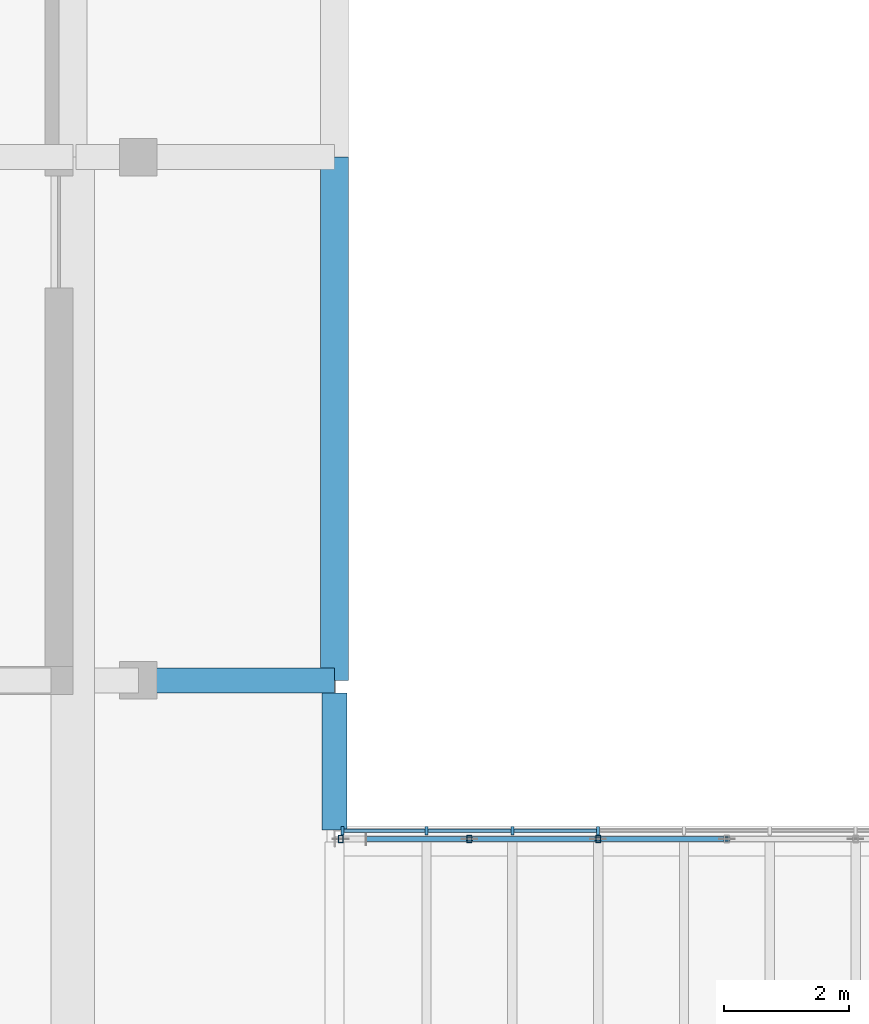
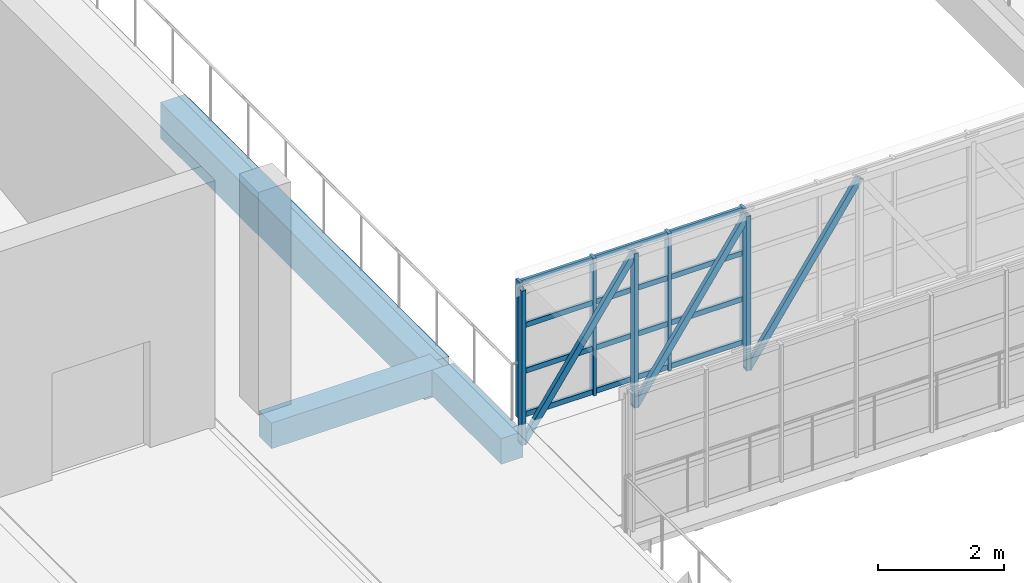
# One storey, part 18 of 67: 22 members, 3 beams, 1 element without a shape of its own.
"""IFC4 building model written with IfcOpenShell, lengths in metres."""

from ifc_helpers import new_model, si_unit, direction, frame, origin, origin_2d, place, context, subcontext, project, spatial, rectangle, hollow_rectangle, extrude, material, layer, layer_set, material_profile, profile_set, type_object, element, aggregate, save


model = new_model("IFC4")

# Units and contexts
model_context = context("Model", 3, precision=1e-05, world=origin(), true_north=direction((0.0, 1.0)))
body_context = subcontext(model_context, "Body", "Model", "MODEL_VIEW")
ifc_project = project(units=[si_unit("LENGTHUNIT", "METRE"), si_unit("AREAUNIT", "SQUARE_METRE"), si_unit("VOLUMEUNIT", "CUBIC_METRE"), si_unit("PLANEANGLEUNIT", "RADIAN"), si_unit("MASSUNIT", "GRAM", prefix="KILO")], contexts=[model_context])

# Site, building, storey
site_placement = place(None, origin())
site = spatial("IfcSite", under=ifc_project, at=site_placement, CompositionType="ELEMENT")
building_placement = place(site_placement, origin())
building = spatial("IfcBuilding", under=site, at=building_placement, Name="Kiln Court Media Centre", CompositionType="ELEMENT")
storey_placement = place(building_placement, frame((0.0, 0.0, 19.800048828125)))
storey = spatial("IfcBuildingStorey", under=building, at=storey_placement, Name="L04", CompositionType="ELEMENT", Elevation=19.800048828125)

# Curtain wall, members
ifc_material_1 = material(Name="Aluminium 6063-T6", Category="aluminium")
ifc_layer = layer(ifc_material_1, 0.1201171875)
ifc_layer_set = layer_set([ifc_layer], Name="Aluminium unitised curtain wall, bridge")
curtain_wall_type = type_object("IfcCurtainWallType", Name="Aluminium unitised curtain wall, bridge", PredefinedType="USERDEFINED", material=ifc_layer_set)
curtain_wall_placement = place(storey_placement, origin())
curtain_wall = element("IfcCurtainWall", 1, at=curtain_wall_placement, inside=storey, type_object=curtain_wall_type, Name="BR-L04-FOY-11 side glazing", ObjectType="UNITISED CURTAIN WALL", PredefinedType="USERDEFINED")
ifc_material_2 = material(Name="Aluminium 6063-T6", Category="aluminium")
ifc_material_profile_1 = material_profile(ifc_material_2, rectangle(XDim=0.050048828125, YDim=0.139892578125, at=origin_2d()), Name="Aluminium hall mullion 50x140")
ifc_profile_set_1 = profile_set([ifc_material_profile_1], Name="Aluminium 6063-T6")
member_type_1 = type_object("IfcMemberType", Name="Aluminium hall mullion 50x140", PredefinedType="MULLION", material=ifc_profile_set_1)
member_1_placement = place(storey_placement, frame((37.925048828125, 39.5849609375, 0.0), z_axis=(0.0, 0.0, 1.0), x_axis=(1.0, 0.0, 0.0)))
member_1 = element("IfcMember", 2, at=member_1_placement, type_object=member_type_1, Name="CW4-68 mullion 1", PredefinedType="MULLION", context=body_context, shape_type="SweptSolid", body=[
    extrude(rectangle(XDim=0.050048828125, YDim=0.139892578125, at=origin_2d()), origin(), (0.0, 0.0, 1.0), 2.675048828125),
])
member_2_placement = place(storey_placement, frame((39.27783203125, 39.5849609375, 0.0), z_axis=(0.0, 0.0, 1.0), x_axis=(1.0, 0.0, 0.0)))
member_2 = element("IfcMember", 3, at=member_2_placement, type_object=member_type_1, Name="CW4-68 mullion 2", PredefinedType="MULLION", context=body_context, shape_type="SweptSolid", body=[
    extrude(rectangle(XDim=0.050048828125, YDim=0.139892578125, at=origin_2d()), origin(), (0.0, 0.0, 1.0), 2.675048828125),
])
member_3_placement = place(storey_placement, frame((40.655517578125, 39.5849609375, 0.0), z_axis=(0.0, 0.0, 1.0), x_axis=(1.0, 0.0, 0.0)))
member_3 = element("IfcMember", 4, at=member_3_placement, type_object=member_type_1, Name="CW4-68 mullion 3", PredefinedType="MULLION", context=body_context, shape_type="SweptSolid", body=[
    extrude(rectangle(XDim=0.050048828125, YDim=0.139892578125, at=origin_2d()), origin(), (0.0, 0.0, 1.0), 2.675048828125),
])
member_4_placement = place(storey_placement, frame((42.033447265625, 39.5849609375, 0.0), z_axis=(0.0, 0.0, 1.0), x_axis=(1.0, 0.0, 0.0)))
member_4 = element("IfcMember", 5, at=member_4_placement, type_object=member_type_1, Name="CW4-68 mullion 4", PredefinedType="MULLION", context=body_context, shape_type="SweptSolid", body=[
    extrude(rectangle(XDim=0.050048828125, YDim=0.139892578125, at=origin_2d()), origin(), (0.0, 0.0, 1.0), 2.675048828125),
])
ifc_material_3 = material(Name="Aluminium 6063-T6", Category="aluminium")
ifc_material_profile_2 = material_profile(ifc_material_3, rectangle(XDim=0.050048828125, YDim=0.10009765625, at=origin_2d()), Name="Aluminium hall transom 50x100")
ifc_profile_set_2 = profile_set([ifc_material_profile_2], Name="Aluminium 6063-T6")
member_type_2 = type_object("IfcMemberType", Name="Aluminium hall transom 50x100", PredefinedType="USERDEFINED", material=ifc_profile_set_2)
member_5_placement = place(storey_placement, frame((37.949951171875, 39.5849609375, 0.050048828125), z_axis=(1.0, 0.0, 0.0), x_axis=(0.0, 1.0, 0.0)))
member_5 = element("IfcMember", 6, at=member_5_placement, type_object=member_type_2, Name="CW4-68 transom 1.1", ObjectType="TRANSOM", PredefinedType="USERDEFINED", context=body_context, shape_type="SweptSolid", body=[
    extrude(rectangle(XDim=0.050048828125, YDim=0.10009765625, at=origin_2d()), origin(), (0.0, 0.0, 1.0), 1.302734375),
])
member_6_placement = place(storey_placement, frame((37.949951171875, 39.5849609375, 0.8916015625), z_axis=(1.0, 0.0, 0.0), x_axis=(0.0, 1.0, 0.0)))
member_6 = element("IfcMember", 7, at=member_6_placement, type_object=member_type_2, Name="CW4-68 transom 1.2", ObjectType="TRANSOM", PredefinedType="USERDEFINED", context=body_context, shape_type="SweptSolid", body=[
    extrude(rectangle(XDim=0.050048828125, YDim=0.10009765625, at=origin_2d()), origin(), (0.0, 0.0, 1.0), 1.302734375),
])
member_7_placement = place(storey_placement, frame((37.949951171875, 39.5849609375, 1.783203125), z_axis=(1.0, 0.0, 0.0), x_axis=(0.0, 1.0, 0.0)))
member_7 = element("IfcMember", 8, at=member_7_placement, type_object=member_type_2, Name="CW4-68 transom 1.3", ObjectType="TRANSOM", PredefinedType="USERDEFINED", context=body_context, shape_type="SweptSolid", body=[
    extrude(rectangle(XDim=0.050048828125, YDim=0.10009765625, at=origin_2d()), origin(), (0.0, 0.0, 1.0), 1.302734375),
])
member_8_placement = place(storey_placement, frame((37.949951171875, 39.5849609375, 2.625), z_axis=(1.0, 0.0, 0.0), x_axis=(0.0, 1.0, 0.0)))
member_8 = element("IfcMember", 9, at=member_8_placement, type_object=member_type_2, Name="CW4-68 transom 1.4", ObjectType="TRANSOM", PredefinedType="USERDEFINED", context=body_context, shape_type="SweptSolid", body=[
    extrude(rectangle(XDim=0.050048828125, YDim=0.10009765625, at=origin_2d()), origin(), (0.0, 0.0, 1.0), 1.302734375),
])
member_9_placement = place(storey_placement, frame((39.302734375, 39.5849609375, 0.050048828125), z_axis=(1.0, 0.0, 0.0), x_axis=(0.0, 1.0, 0.0)))
member_9 = element("IfcMember", 10, at=member_9_placement, type_object=member_type_2, Name="CW4-68 transom 2.1", ObjectType="TRANSOM", PredefinedType="USERDEFINED", context=body_context, shape_type="SweptSolid", body=[
    extrude(rectangle(XDim=0.050048828125, YDim=0.10009765625, at=origin_2d()), origin(), (0.0, 0.0, 1.0), 1.327880859375),
])
member_10_placement = place(storey_placement, frame((39.302734375, 39.5849609375, 0.8916015625), z_axis=(1.0, 0.0, 0.0), x_axis=(0.0, 1.0, 0.0)))
member_10 = element("IfcMember", 11, at=member_10_placement, type_object=member_type_2, Name="CW4-68 transom 2.2", ObjectType="TRANSOM", PredefinedType="USERDEFINED", context=body_context, shape_type="SweptSolid", body=[
    extrude(rectangle(XDim=0.050048828125, YDim=0.10009765625, at=origin_2d()), origin(), (0.0, 0.0, 1.0), 1.327880859375),
])
member_11_placement = place(storey_placement, frame((39.302734375, 39.5849609375, 1.783203125), z_axis=(1.0, 0.0, 0.0), x_axis=(0.0, 1.0, 0.0)))
member_11 = element("IfcMember", 12, at=member_11_placement, type_object=member_type_2, Name="CW4-68 transom 2.3", ObjectType="TRANSOM", PredefinedType="USERDEFINED", context=body_context, shape_type="SweptSolid", body=[
    extrude(rectangle(XDim=0.050048828125, YDim=0.10009765625, at=origin_2d()), origin(), (0.0, 0.0, 1.0), 1.327880859375),
])
member_12_placement = place(storey_placement, frame((39.302734375, 39.5849609375, 2.625), z_axis=(1.0, 0.0, 0.0), x_axis=(0.0, 1.0, 0.0)))
member_12 = element("IfcMember", 13, at=member_12_placement, type_object=member_type_2, Name="CW4-68 transom 2.4", ObjectType="TRANSOM", PredefinedType="USERDEFINED", context=body_context, shape_type="SweptSolid", body=[
    extrude(rectangle(XDim=0.050048828125, YDim=0.10009765625, at=origin_2d()), origin(), (0.0, 0.0, 1.0), 1.327880859375),
])
member_13_placement = place(storey_placement, frame((40.6806640625, 39.5849609375, 0.050048828125), z_axis=(1.0, 0.0, 0.0), x_axis=(0.0, 1.0, 0.0)))
member_13 = element("IfcMember", 14, at=member_13_placement, type_object=member_type_2, Name="CW4-68 transom 3.1", ObjectType="TRANSOM", PredefinedType="USERDEFINED", context=body_context, shape_type="SweptSolid", body=[
    extrude(rectangle(XDim=0.050048828125, YDim=0.10009765625, at=origin_2d()), origin(), (0.0, 0.0, 1.0), 1.32763671875),
])
member_14_placement = place(storey_placement, frame((40.6806640625, 39.5849609375, 0.8916015625), z_axis=(1.0, 0.0, 0.0), x_axis=(0.0, 1.0, 0.0)))
member_14 = element("IfcMember", 15, at=member_14_placement, type_object=member_type_2, Name="CW4-68 transom 3.2", ObjectType="TRANSOM", PredefinedType="USERDEFINED", context=body_context, shape_type="SweptSolid", body=[
    extrude(rectangle(XDim=0.050048828125, YDim=0.10009765625, at=origin_2d()), origin(), (0.0, 0.0, 1.0), 1.32763671875),
])
member_15_placement = place(storey_placement, frame((40.6806640625, 39.5849609375, 1.783203125), z_axis=(1.0, 0.0, 0.0), x_axis=(0.0, 1.0, 0.0)))
member_15 = element("IfcMember", 16, at=member_15_placement, type_object=member_type_2, Name="CW4-68 transom 3.3", ObjectType="TRANSOM", PredefinedType="USERDEFINED", context=body_context, shape_type="SweptSolid", body=[
    extrude(rectangle(XDim=0.050048828125, YDim=0.10009765625, at=origin_2d()), origin(), (0.0, 0.0, 1.0), 1.32763671875),
])
member_16_placement = place(storey_placement, frame((40.6806640625, 39.5849609375, 2.625), z_axis=(1.0, 0.0, 0.0), x_axis=(0.0, 1.0, 0.0)))
member_16 = element("IfcMember", 17, at=member_16_placement, type_object=member_type_2, Name="CW4-68 transom 3.4", ObjectType="TRANSOM", PredefinedType="USERDEFINED", context=body_context, shape_type="SweptSolid", body=[
    extrude(rectangle(XDim=0.050048828125, YDim=0.10009765625, at=origin_2d()), origin(), (0.0, 0.0, 1.0), 1.32763671875),
])
aggregate(curtain_wall, [member_1, member_2, member_3, member_4, member_5, member_6, member_7, member_8, member_9, member_10, member_11, member_12, member_13, member_14, member_15, member_16])

# Beams
ifc_material_4 = material(Name="Concrete C30/37", Category="concrete")
ifc_material_profile_3 = material_profile(ifc_material_4, rectangle(XDim=0.39990234375, YDim=0.5, at=origin_2d()), Name="RC 400x500")
ifc_profile_set_3 = profile_set([ifc_material_profile_3], Name="Concrete C30/37")
beam_type_1 = type_object("IfcBeamType", Name="Concrete C30/37 beam 400x500", PredefinedType="BEAM", material=ifc_profile_set_3)
beam_1_placement = place(storey_placement, frame((34.64990234375, 42.0, -0.550048828125), z_axis=(1.0, 0.0, 0.0), x_axis=(0.0, 1.0, 0.0)))
element("IfcBeam", 18, at=beam_1_placement, inside=storey, type_object=beam_type_1, Name="L04-B-1099", PredefinedType="BEAM", context=body_context, shape_type="SweptSolid", body=[
    extrude(rectangle(XDim=0.39990234375, YDim=0.5, at=origin_2d()), origin(), (0.0, 0.0, 1.0), 3.151123046875),
])
beam_2_placement = place(storey_placement, frame((37.800048828125, 41.800048828125, -0.550048828125), z_axis=(0.0, -1.0, 0.0), x_axis=(1.0, 0.0, 0.0)))
element("IfcBeam", 19, at=beam_2_placement, inside=storey, type_object=beam_type_1, Name="L04-B-1111", PredefinedType="BEAM", context=body_context, shape_type="SweptSolid", body=[
    extrude(rectangle(XDim=0.39990234375, YDim=0.5, at=origin_2d()), origin(), (0.0, 0.0, 1.0), 2.199951171875),
])
ifc_material_5 = material(Name="Concrete C30/37", Category="concrete")
ifc_material_profile_4 = material_profile(ifc_material_5, rectangle(XDim=0.449951171875, YDim=0.699951171875, at=origin_2d()), Name="RC 450x700")
ifc_profile_set_4 = profile_set([ifc_material_profile_4], Name="Concrete C30/37")
beam_type_2 = type_object("IfcBeamType", Name="Concrete C30/37 beam 450x700", PredefinedType="BEAM", material=ifc_profile_set_4)
beam_3_placement = place(storey_placement, frame((37.800048828125, 50.39990234375, -0.650146484375), z_axis=(0.0, -1.0, 0.0), x_axis=(1.0, 0.0, 0.0)))
element("IfcBeam", 20, at=beam_3_placement, inside=storey, type_object=beam_type_2, Name="L04-B-1110", PredefinedType="BEAM", context=body_context, shape_type="SweptSolid", body=[
    extrude(rectangle(XDim=0.449951171875, YDim=0.699951171875, at=origin_2d()), origin(), (0.0, 0.0, 1.0), 8.39990234375),
])

# Members
ifc_material_6 = material(Name="Steel ASTM A500 Gr C", Category="steel")
ifc_material_profile_5 = material_profile(ifc_material_6, hollow_rectangle(XDim=0.080078125, YDim=0.1201171875, WallThickness=0.00634765625, at=origin_2d()), Name="RHS 120x80x6.3")
ifc_profile_set_5 = profile_set([ifc_material_profile_5], Name="Steel ASTM A500 Gr C")
member_type_3 = type_object("IfcMemberType", Name="Steel ASTM A500 Gr C RHS 120x80x6.3 bridge truss web", PredefinedType="BRACE", material=ifc_profile_set_5)
for number, where, z_axis, x_axis, name in (
    (21, (37.89990234375, 39.449951171875, -0.400146484375), (0.0, 0.0, 1.0), (1.0, 0.0, 0.0), "bridge BR-L04-FOY-11 side truss 2 post 1 bridge truss web"),
    (22, (39.966796875, 39.449951171875, -0.400146484375), (0.0, 0.0, 1.0), (1.0, 0.0, 0.0), "bridge BR-L04-FOY-11 side truss 2 post 2 bridge truss web"),
    (23, (42.033203125, 39.449951171875, -0.400146484375), (0.0, 0.0, 1.0), (1.0, 0.0, 0.0), "bridge BR-L04-FOY-11 side truss 2 post 3 bridge truss web"),
):
    element("IfcMember", number, at=place(storey_placement, frame(where, z_axis=z_axis, x_axis=x_axis)), inside=storey, type_object=member_type_3, Name=name, PredefinedType="BRACE", context=body_context, shape_type="SweptSolid", body=[
        extrude(hollow_rectangle(XDim=0.080078125, YDim=0.1201171875, WallThickness=0.00634765625, at=origin_2d()), origin(), (0.0, 0.0, 1.0), 3.0),
    ])
member_17_placement = place(storey_placement, frame((37.89990234375, 39.449951171875, -0.400146484375), z_axis=(0.567347652797, 0.0, 0.823478379113), x_axis=(0.0, 1.0, 0.0)))
element("IfcMember", 24, at=member_17_placement, inside=storey, type_object=member_type_3, Name="bridge BR-L04-FOY-11 side truss 2 diagonal 1 bridge truss web", PredefinedType="BRACE", context=body_context, shape_type="SweptSolid", body=[
    extrude(hollow_rectangle(XDim=0.080078125, YDim=0.1201171875, WallThickness=0.00634765625, at=origin_2d()), origin(), (0.0, 0.0, 1.0), 3.64306640625),
])
member_18_placement = place(storey_placement, frame((39.966796875, 39.449951171875, -0.400146484375), z_axis=(0.56725675467, 0.0, 0.823540997329), x_axis=(0.0, 1.0, 0.0)))
element("IfcMember", 25, at=member_18_placement, inside=storey, type_object=member_type_3, Name="bridge BR-L04-FOY-11 side truss 2 diagonal 2 bridge truss web", PredefinedType="BRACE", context=body_context, shape_type="SweptSolid", body=[
    extrude(hollow_rectangle(XDim=0.080078125, YDim=0.1201171875, WallThickness=0.00634765625, at=origin_2d()), origin(), (0.0, 0.0, 1.0), 3.642822265625),
])
member_19_placement = place(storey_placement, frame((42.033203125, 39.449951171875, -0.400146484375), z_axis=(0.567347652797, 0.0, 0.823478379113), x_axis=(0.0, 1.0, 0.0)))
element("IfcMember", 26, at=member_19_placement, inside=storey, type_object=member_type_3, Name="bridge BR-L04-FOY-11 side truss 2 diagonal 3 bridge truss web", PredefinedType="BRACE", context=body_context, shape_type="SweptSolid", body=[
    extrude(hollow_rectangle(XDim=0.080078125, YDim=0.1201171875, WallThickness=0.00634765625, at=origin_2d()), origin(), (0.0, 0.0, 1.0), 3.64306640625),
])

save(model, "model.ifc")
